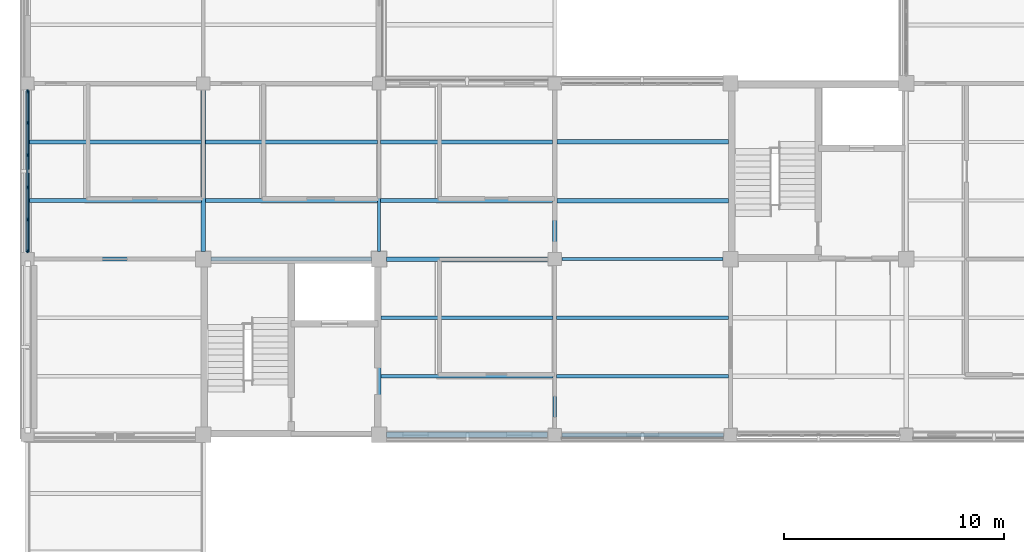
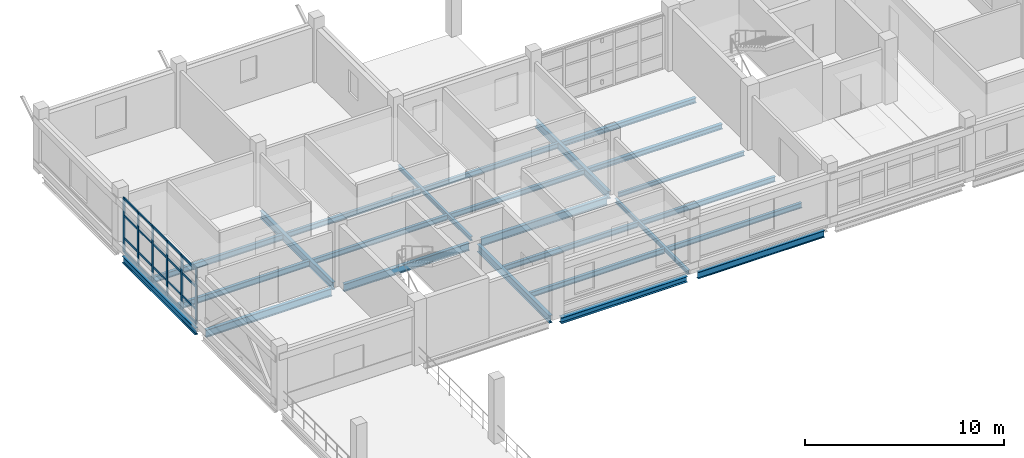
# One storey, part 4 of 35: 26 members, 24 beams, 1 element without a shape of its own.
"""IFC4 building model written with IfcOpenShell, lengths in metres."""

from ifc_helpers import new_model, si_unit, derived_unit, direction, frame, origin, origin_2d, place, context, subcontext, project, spatial, rectangle, i_section, extrude, material, layer, layer_set, material_profile, profile_set, type_object, element, aggregate, save


model = new_model("IFC4")

# Units and contexts
model_context = context("Model", 3, precision=1e-05, world=origin(), true_north=direction((0.0, 1.0)))
body_context = subcontext(model_context, "Body", "Model", "MODEL_VIEW")
ifc_project = project(units=[si_unit("LENGTHUNIT", "METRE"), si_unit("AREAUNIT", "SQUARE_METRE"), si_unit("VOLUMEUNIT", "CUBIC_METRE"), si_unit("PLANEANGLEUNIT", "RADIAN"), si_unit("MASSUNIT", "GRAM", prefix="KILO"), derived_unit("THERMALTRANSMITTANCEUNIT", [(si_unit("MASSUNIT", "GRAM", prefix="KILO"), 1), (si_unit("TIMEUNIT", "SECOND"), -3), (si_unit("THERMODYNAMICTEMPERATUREUNIT", "KELVIN"), -1)])], contexts=[model_context])

# Site, building, storey
site_placement = place(None, origin())
site = spatial("IfcSite", under=ifc_project, at=site_placement, CompositionType="ELEMENT")
building_placement = place(site_placement, origin())
building = spatial("IfcBuilding", under=site, at=building_placement, Name="Veyamyaing Civic Hall", CompositionType="ELEMENT")
storey_placement = place(building_placement, frame((0.0, 0.0, 21.780029296875)))
storey = spatial("IfcBuildingStorey", under=building, at=storey_placement, Name="L05", CompositionType="ELEMENT", Elevation=21.780029296875)

# Beams
ifc_material_1 = material(Name="Steel ASTM A992", Category="steel")
ifc_material_profile_1 = material_profile(ifc_material_1, i_section(OverallWidth=0.19189453125, OverallDepth=0.462890625, WebThickness=0.010498046875, FlangeThickness=0.017578125, FilletRadius=0.010009765625, at=origin_2d()), Name="W460X89")
ifc_profile_set_1 = profile_set([ifc_material_profile_1], Name="Steel ASTM A992")
beam_type_1 = type_object("IfcBeamType", Name="B-08", PredefinedType="BEAM", material=ifc_profile_set_1)
beam_1_placement = place(storey_placement, frame((0.324951171875, 96.0, -0.45654296875), z_axis=(1.0, 0.0, 0.0), x_axis=(0.0, 1.0, 0.0)))
element("IfcBeam", 1, at=beam_1_placement, inside=storey, type_object=beam_type_1, Name="Girder B-08 L05 Grid N 1-2", PredefinedType="BEAM", context=body_context, shape_type="SweptSolid", body=[
    extrude(i_section(OverallWidth=0.19189453125, OverallDepth=0.462890625, WebThickness=0.010498046875, FlangeThickness=0.017578125, FilletRadius=0.010009765625, at=origin_2d()), origin(), (0.0, 0.0, 1.0), 7.324951171875),
])
beam_2_placement = place(storey_placement, frame((24.0, 96.324951171875, -0.45654296875), z_axis=(0.0, 1.0, 0.0), x_axis=(-1.0, 0.0, 0.0)))
element("IfcBeam", 2, at=beam_2_placement, inside=storey, type_object=beam_type_1, Name="Girder B-08 L05 Grid 4 N-P", PredefinedType="BEAM", context=body_context, shape_type="SweptSolid", body=[
    extrude(i_section(OverallWidth=0.19189453125, OverallDepth=0.462890625, WebThickness=0.010498046875, FlangeThickness=0.017578125, FilletRadius=0.010009765625, at=origin_2d()), origin(), (0.0, 0.0, 1.0), 7.35009765625),
])
ifc_material_profile_2 = material_profile(ifc_material_1, i_section(OverallWidth=0.18994140625, OverallDepth=0.45703125, WebThickness=0.009033203125, FlangeThickness=0.014404296875, FilletRadius=0.010009765625, at=origin_2d()), Name="W460X74")
ifc_profile_set_2 = profile_set([ifc_material_profile_2], Name="Steel ASTM A992")
beam_type_2 = type_object("IfcBeamType", Name="B-09", PredefinedType="BEAM", material=ifc_profile_set_2)
beam_3_placement = place(storey_placement, frame((8.35009765625, 96.0, -0.45361328125), z_axis=(1.0, 0.0, 0.0), x_axis=(0.0, 1.0, 0.0)))
element("IfcBeam", 3, at=beam_3_placement, inside=storey, type_object=beam_type_2, Name="Girder B-09 L05 Grid N 2-3", PredefinedType="BEAM", context=body_context, shape_type="SweptSolid", body=[
    extrude(i_section(OverallWidth=0.18994140625, OverallDepth=0.45703125, WebThickness=0.009033203125, FlangeThickness=0.014404296875, FilletRadius=0.010009765625, at=origin_2d()), origin(), (0.0, 0.0, 1.0), 7.2998046875),
])
beam_4_placement = place(storey_placement, frame((8.0, 96.35009765625, -0.45361328125), z_axis=(0.0, 1.0, 0.0), x_axis=(-1.0, 0.0, 0.0)))
element("IfcBeam", 4, at=beam_4_placement, inside=storey, type_object=beam_type_2, Name="Girder B-09 L05 Grid 2 N-P", PredefinedType="BEAM", context=body_context, shape_type="SweptSolid", body=[
    extrude(i_section(OverallWidth=0.18994140625, OverallDepth=0.45703125, WebThickness=0.009033203125, FlangeThickness=0.014404296875, FilletRadius=0.010009765625, at=origin_2d()), origin(), (0.0, 0.0, 1.0), 7.324951171875),
])
beam_5_placement = place(storey_placement, frame((16.0, 88.35009765625, -0.45361328125), z_axis=(0.0, 1.0, 0.0), x_axis=(-1.0, 0.0, 0.0)))
element("IfcBeam", 5, at=beam_5_placement, inside=storey, type_object=beam_type_2, Name="Girder B-09 L05 Grid 3 M-N", PredefinedType="BEAM", context=body_context, shape_type="SweptSolid", body=[
    extrude(i_section(OverallWidth=0.18994140625, OverallDepth=0.45703125, WebThickness=0.009033203125, FlangeThickness=0.014404296875, FilletRadius=0.010009765625, at=origin_2d()), origin(), (0.0, 0.0, 1.0), 7.2998046875),
])
ifc_material_profile_3 = material_profile(ifc_material_1, i_section(OverallWidth=0.179931640625, OverallDepth=0.4130859375, WebThickness=0.009765625, FlangeThickness=0.01611328125, FilletRadius=0.010009765625, at=origin_2d()), Name="W410X74")
ifc_profile_set_3 = profile_set([ifc_material_profile_3], Name="Steel ASTM A992")
beam_type_3 = type_object("IfcBeamType", Name="B-10", PredefinedType="SPANDREL", material=ifc_profile_set_3)
beam_6_placement = place(storey_placement, frame((24.324951171875, 88.0, -0.431640625), z_axis=(1.0, 0.0, 0.0), x_axis=(0.0, 1.0, 0.0)))
element("IfcBeam", 6, at=beam_6_placement, inside=storey, type_object=beam_type_3, Name="Girder B-10 L05 Grid M 4-5", PredefinedType="SPANDREL", context=body_context, shape_type="SweptSolid", body=[
    extrude(i_section(OverallWidth=0.179931640625, OverallDepth=0.4130859375, WebThickness=0.009765625, FlangeThickness=0.01611328125, FilletRadius=0.010009765625, at=origin_2d()), origin(), (0.0, 0.0, 1.0), 7.35009765625),
])
ifc_material_profile_4 = material_profile(ifc_material_1, i_section(OverallWidth=0.14599609375, OverallDepth=0.258056640625, WebThickness=0.006103515625, FlangeThickness=0.009033203125, FilletRadius=0.010009765625, at=origin_2d()), Name="W250X33")
ifc_profile_set_4 = profile_set([ifc_material_profile_4], Name="Steel ASTM A992")
beam_type_4 = type_object("IfcBeamType", Name="B-12", PredefinedType="BEAM", material=ifc_profile_set_4)
for number, where, z_axis, x_axis, name in (
    (7, (24.324951171875, 96.0, -0.35400390625), (1.0, 0.0, 0.0), (0.0, 1.0, 0.0), "Girder B-12 L05 Grid N 4-5"),
    (8, (16.0, 96.35009765625, -0.35400390625), (0.0, 1.0, 0.0), (-1.0, 0.0, 0.0), "Girder B-12 L05 Grid 3 N-P"),
):
    element("IfcBeam", number, at=place(storey_placement, frame(where, z_axis=z_axis, x_axis=x_axis)), inside=storey, type_object=beam_type_4, Name=name, PredefinedType="BEAM", context=body_context, shape_type="SweptSolid", body=[
        extrude(i_section(OverallWidth=0.14599609375, OverallDepth=0.258056640625, WebThickness=0.006103515625, FlangeThickness=0.009033203125, FilletRadius=0.010009765625, at=origin_2d()), origin(), (0.0, 0.0, 1.0), 7.324951171875),
    ])
beam_7_placement = place(storey_placement, frame((24.0, 88.324951171875, -0.35400390625), z_axis=(0.0, 1.0, 0.0), x_axis=(-1.0, 0.0, 0.0)))
element("IfcBeam", 9, at=beam_7_placement, inside=storey, type_object=beam_type_4, Name="Girder B-12 L05 Grid 4 M-N", PredefinedType="BEAM", context=body_context, shape_type="SweptSolid", body=[
    extrude(i_section(OverallWidth=0.14599609375, OverallDepth=0.258056640625, WebThickness=0.006103515625, FlangeThickness=0.009033203125, FilletRadius=0.010009765625, at=origin_2d()), origin(), (0.0, 0.0, 1.0), 7.35009765625),
])
ifc_material_profile_5 = material_profile(ifc_material_1, i_section(OverallWidth=0.194091796875, OverallDepth=0.468994140625, WebThickness=0.0126953125, FlangeThickness=0.0205078125, FilletRadius=0.010009765625, at=origin_2d()), Name="W460X106")
ifc_profile_set_5 = profile_set([ifc_material_profile_5], Name="Steel ASTM A992")
beam_type_5 = type_object("IfcBeamType", Name="B-18", PredefinedType="BEAM", material=ifc_profile_set_5)
beam_8_placement = place(storey_placement, frame((16.35009765625, 96.0, -0.45947265625), z_axis=(1.0, 0.0, 0.0), x_axis=(0.0, 1.0, 0.0)))
element("IfcBeam", 10, at=beam_8_placement, inside=storey, type_object=beam_type_5, Name="Girder B-18 L05 Grid N 3-4", PredefinedType="BEAM", context=body_context, shape_type="SweptSolid", body=[
    extrude(i_section(OverallWidth=0.194091796875, OverallDepth=0.468994140625, WebThickness=0.0126953125, FlangeThickness=0.0205078125, FilletRadius=0.010009765625, at=origin_2d()), origin(), (0.0, 0.0, 1.0), 7.324951171875),
])
ifc_material_profile_6 = material_profile(ifc_material_1, i_section(OverallWidth=0.180908203125, OverallDepth=0.4169921875, WebThickness=0.010986328125, FlangeThickness=0.018310546875, FilletRadius=0.010009765625, at=origin_2d()), Name="W410X85")
ifc_profile_set_6 = profile_set([ifc_material_profile_6], Name="Steel ASTM A992")
beam_type_6 = type_object("IfcBeamType", Name="B-19", PredefinedType="SPANDREL", material=ifc_profile_set_6)
beam_9_placement = place(storey_placement, frame((0.0, 96.324951171875, -0.43359375), z_axis=(0.0, 1.0, 0.0), x_axis=(-1.0, 0.0, 0.0)))
element("IfcBeam", 11, at=beam_9_placement, inside=storey, type_object=beam_type_6, Name="Girder B-19 L05 Grid 1 N-P", PredefinedType="SPANDREL", context=body_context, shape_type="SweptSolid", body=[
    extrude(i_section(OverallWidth=0.180908203125, OverallDepth=0.4169921875, WebThickness=0.010986328125, FlangeThickness=0.018310546875, FilletRadius=0.010009765625, at=origin_2d()), origin(), (0.0, 0.0, 1.0), 7.35009765625),
])
ifc_material_profile_7 = material_profile(ifc_material_1, i_section(OverallWidth=0.25390625, OverallDepth=0.35302734375, WebThickness=0.009521484375, FlangeThickness=0.016357421875, FilletRadius=0.011962890625, at=origin_2d()), Name="W360X91")
ifc_profile_set_7 = profile_set([ifc_material_profile_7], Name="Steel ASTM A992")
beam_type_7 = type_object("IfcBeamType", Name="B-20", PredefinedType="SPANDREL", material=ifc_profile_set_7)
beam_10_placement = place(storey_placement, frame((16.35009765625, 88.0, -0.401611328125), z_axis=(1.0, 0.0, 0.0), x_axis=(0.0, 1.0, 0.0)))
element("IfcBeam", 12, at=beam_10_placement, inside=storey, type_object=beam_type_7, Name="Girder B-20 L05 Grid M 3-4", PredefinedType="SPANDREL", context=body_context, shape_type="SweptSolid", body=[
    extrude(i_section(OverallWidth=0.25390625, OverallDepth=0.35302734375, WebThickness=0.009521484375, FlangeThickness=0.016357421875, FilletRadius=0.011962890625, at=origin_2d()), origin(), (0.0, 0.0, 1.0), 7.324951171875),
])

# Curtain wall, members
ifc_material_2 = material(Name="Anodised aluminium 6063-T6", Category="aluminium")
ifc_layer = layer(ifc_material_2, 0.159912109375, Name="Anodised aluminium 6063-T6")
ifc_layer_set = layer_set([ifc_layer], Name="Anodised aluminium 6063-T6")
curtain_wall_type = type_object("IfcCurtainWallType", Name="CW-09", PredefinedType="NOTDEFINED", material=ifc_layer_set)
curtain_wall_placement = place(storey_placement, origin())
curtain_wall = element("IfcCurtainWall", 13, at=curtain_wall_placement, inside=storey, type_object=curtain_wall_type, Name="Unitized curtain wall CW-09 L05 W 1.13", PredefinedType="NOTDEFINED")
ifc_material_profile_8 = material_profile(ifc_material_2, rectangle(XDim=0.06494140625, YDim=0.159912109375, at=origin_2d()), Name="ALU-MUL-65X160")
ifc_profile_set_8 = profile_set([ifc_material_profile_8], Name="Anodised aluminium 6063-T6")
member_type_1 = type_object("IfcMemberType", Name="CWM-01", PredefinedType="MULLION", material=ifc_profile_set_8)
member_1_placement = place(storey_placement, frame((0.0, 96.362548828125, 0.0), z_axis=(0.0, 0.0, 1.0), x_axis=(-1.0, 0.0, 0.0)))
member_1 = element("IfcMember", 14, at=member_1_placement, type_object=member_type_1, Name="CW-09 mullion 1", PredefinedType="MULLION", context=body_context, shape_type="SweptSolid", body=[
    extrude(rectangle(XDim=0.06494140625, YDim=0.159912109375, at=origin_2d()), origin(), (0.0, 0.0, 1.0), 3.368896484375),
])
member_2_placement = place(storey_placement, frame((0.0, 97.798095703125, 0.0), z_axis=(0.0, 0.0, 1.0), x_axis=(-1.0, 0.0, 0.0)))
member_2 = element("IfcMember", 15, at=member_2_placement, type_object=member_type_1, Name="CW-09 mullion 2", PredefinedType="MULLION", context=body_context, shape_type="SweptSolid", body=[
    extrude(rectangle(XDim=0.06494140625, YDim=0.159912109375, at=origin_2d()), origin(), (0.0, 0.0, 1.0), 3.368896484375),
])
member_3_placement = place(storey_placement, frame((0.0, 99.26611328125, 0.0), z_axis=(0.0, 0.0, 1.0), x_axis=(-1.0, 0.0, 0.0)))
member_3 = element("IfcMember", 16, at=member_3_placement, type_object=member_type_1, Name="CW-09 mullion 3", PredefinedType="MULLION", context=body_context, shape_type="SweptSolid", body=[
    extrude(rectangle(XDim=0.06494140625, YDim=0.159912109375, at=origin_2d()), origin(), (0.0, 0.0, 1.0), 3.368896484375),
])
member_4_placement = place(storey_placement, frame((0.0, 100.73388671875, 0.0), z_axis=(0.0, 0.0, 1.0), x_axis=(-1.0, 0.0, 0.0)))
member_4 = element("IfcMember", 17, at=member_4_placement, type_object=member_type_1, Name="CW-09 mullion 4", PredefinedType="MULLION", context=body_context, shape_type="SweptSolid", body=[
    extrude(rectangle(XDim=0.06494140625, YDim=0.159912109375, at=origin_2d()), origin(), (0.0, 0.0, 1.0), 3.368896484375),
])
member_5_placement = place(storey_placement, frame((0.0, 102.201904296875, 0.0), z_axis=(0.0, 0.0, 1.0), x_axis=(-1.0, 0.0, 0.0)))
member_5 = element("IfcMember", 18, at=member_5_placement, type_object=member_type_1, Name="CW-09 mullion 5", PredefinedType="MULLION", context=body_context, shape_type="SweptSolid", body=[
    extrude(rectangle(XDim=0.06494140625, YDim=0.159912109375, at=origin_2d()), origin(), (0.0, 0.0, 1.0), 3.368896484375),
])
member_6_placement = place(storey_placement, frame((0.0, 103.637451171875, 0.0), z_axis=(0.0, 0.0, 1.0), x_axis=(-1.0, 0.0, 0.0)))
member_6 = element("IfcMember", 19, at=member_6_placement, type_object=member_type_1, Name="CW-09 mullion 6", PredefinedType="MULLION", context=body_context, shape_type="SweptSolid", body=[
    extrude(rectangle(XDim=0.06494140625, YDim=0.159912109375, at=origin_2d()), origin(), (0.0, 0.0, 1.0), 3.368896484375),
])
ifc_material_profile_9 = material_profile(ifc_material_2, rectangle(XDim=0.06494140625, YDim=0.1201171875, at=origin_2d()), Name="ALU-TRN-65X120")
ifc_profile_set_9 = profile_set([ifc_material_profile_9], Name="Anodised aluminium 6063-T6")
member_type_2 = type_object("IfcMemberType", Name="CWT-01", PredefinedType="USERDEFINED", material=ifc_profile_set_9)
member_7_placement = place(storey_placement, frame((0.0, 96.39501953125, 0.032470703125), z_axis=(0.0, 1.0, 0.0), x_axis=(-1.0, 0.0, 0.0)))
member_7 = element("IfcMember", 20, at=member_7_placement, type_object=member_type_2, Name="CW-09 transom 1.1", ObjectType="TRANSOM", PredefinedType="USERDEFINED", context=body_context, shape_type="SweptSolid", body=[
    extrude(rectangle(XDim=0.06494140625, YDim=0.1201171875, at=origin_2d()), origin(), (0.0, 0.0, 1.0), 1.370361328125),
])
member_8_placement = place(storey_placement, frame((0.0, 96.39501953125, 0.89990234375), z_axis=(0.0, 1.0, 0.0), x_axis=(-1.0, 0.0, 0.0)))
member_8 = element("IfcMember", 21, at=member_8_placement, type_object=member_type_2, Name="CW-09 transom 1.2", ObjectType="TRANSOM", PredefinedType="USERDEFINED", context=body_context, shape_type="SweptSolid", body=[
    extrude(rectangle(XDim=0.06494140625, YDim=0.1201171875, at=origin_2d()), origin(), (0.0, 0.0, 1.0), 1.370361328125),
])
member_9_placement = place(storey_placement, frame((0.0, 96.39501953125, 2.290771484375), z_axis=(0.0, 1.0, 0.0), x_axis=(-1.0, 0.0, 0.0)))
member_9 = element("IfcMember", 22, at=member_9_placement, type_object=member_type_2, Name="CW-09 transom 1.3", ObjectType="TRANSOM", PredefinedType="USERDEFINED", context=body_context, shape_type="SweptSolid", body=[
    extrude(rectangle(XDim=0.06494140625, YDim=0.1201171875, at=origin_2d()), origin(), (0.0, 0.0, 1.0), 1.370361328125),
])
member_10_placement = place(storey_placement, frame((0.0, 96.39501953125, 3.33642578125), z_axis=(0.0, 1.0, 0.0), x_axis=(-1.0, 0.0, 0.0)))
member_10 = element("IfcMember", 23, at=member_10_placement, type_object=member_type_2, Name="CW-09 transom 1.4", ObjectType="TRANSOM", PredefinedType="USERDEFINED", context=body_context, shape_type="SweptSolid", body=[
    extrude(rectangle(XDim=0.06494140625, YDim=0.1201171875, at=origin_2d()), origin(), (0.0, 0.0, 1.0), 1.370361328125),
])
member_11_placement = place(storey_placement, frame((0.0, 97.83056640625, 0.032470703125), z_axis=(0.0, 1.0, 0.0), x_axis=(-1.0, 0.0, 0.0)))
member_11 = element("IfcMember", 24, at=member_11_placement, type_object=member_type_2, Name="CW-09 transom 2.1", ObjectType="TRANSOM", PredefinedType="USERDEFINED", context=body_context, shape_type="SweptSolid", body=[
    extrude(rectangle(XDim=0.06494140625, YDim=0.1201171875, at=origin_2d()), origin(), (0.0, 0.0, 1.0), 1.40283203125),
])
member_12_placement = place(storey_placement, frame((0.0, 97.83056640625, 0.89990234375), z_axis=(0.0, 1.0, 0.0), x_axis=(-1.0, 0.0, 0.0)))
member_12 = element("IfcMember", 25, at=member_12_placement, type_object=member_type_2, Name="CW-09 transom 2.2", ObjectType="TRANSOM", PredefinedType="USERDEFINED", context=body_context, shape_type="SweptSolid", body=[
    extrude(rectangle(XDim=0.06494140625, YDim=0.1201171875, at=origin_2d()), origin(), (0.0, 0.0, 1.0), 1.40283203125),
])
member_13_placement = place(storey_placement, frame((0.0, 97.83056640625, 2.290771484375), z_axis=(0.0, 1.0, 0.0), x_axis=(-1.0, 0.0, 0.0)))
member_13 = element("IfcMember", 26, at=member_13_placement, type_object=member_type_2, Name="CW-09 transom 2.3", ObjectType="TRANSOM", PredefinedType="USERDEFINED", context=body_context, shape_type="SweptSolid", body=[
    extrude(rectangle(XDim=0.06494140625, YDim=0.1201171875, at=origin_2d()), origin(), (0.0, 0.0, 1.0), 1.40283203125),
])
member_14_placement = place(storey_placement, frame((0.0, 97.83056640625, 3.33642578125), z_axis=(0.0, 1.0, 0.0), x_axis=(-1.0, 0.0, 0.0)))
member_14 = element("IfcMember", 27, at=member_14_placement, type_object=member_type_2, Name="CW-09 transom 2.4", ObjectType="TRANSOM", PredefinedType="USERDEFINED", context=body_context, shape_type="SweptSolid", body=[
    extrude(rectangle(XDim=0.06494140625, YDim=0.1201171875, at=origin_2d()), origin(), (0.0, 0.0, 1.0), 1.40283203125),
])
member_15_placement = place(storey_placement, frame((0.0, 99.298583984375, 0.032470703125), z_axis=(0.0, 1.0, 0.0), x_axis=(-1.0, 0.0, 0.0)))
member_15 = element("IfcMember", 28, at=member_15_placement, type_object=member_type_2, Name="CW-09 transom 3.1", ObjectType="TRANSOM", PredefinedType="USERDEFINED", context=body_context, shape_type="SweptSolid", body=[
    extrude(rectangle(XDim=0.06494140625, YDim=0.1201171875, at=origin_2d()), origin(), (0.0, 0.0, 1.0), 1.40283203125),
])
member_16_placement = place(storey_placement, frame((0.0, 99.298583984375, 0.89990234375), z_axis=(0.0, 1.0, 0.0), x_axis=(-1.0, 0.0, 0.0)))
member_16 = element("IfcMember", 29, at=member_16_placement, type_object=member_type_2, Name="CW-09 transom 3.2", ObjectType="TRANSOM", PredefinedType="USERDEFINED", context=body_context, shape_type="SweptSolid", body=[
    extrude(rectangle(XDim=0.06494140625, YDim=0.1201171875, at=origin_2d()), origin(), (0.0, 0.0, 1.0), 1.40283203125),
])
member_17_placement = place(storey_placement, frame((0.0, 99.298583984375, 2.290771484375), z_axis=(0.0, 1.0, 0.0), x_axis=(-1.0, 0.0, 0.0)))
member_17 = element("IfcMember", 30, at=member_17_placement, type_object=member_type_2, Name="CW-09 transom 3.3", ObjectType="TRANSOM", PredefinedType="USERDEFINED", context=body_context, shape_type="SweptSolid", body=[
    extrude(rectangle(XDim=0.06494140625, YDim=0.1201171875, at=origin_2d()), origin(), (0.0, 0.0, 1.0), 1.40283203125),
])
member_18_placement = place(storey_placement, frame((0.0, 99.298583984375, 3.33642578125), z_axis=(0.0, 1.0, 0.0), x_axis=(-1.0, 0.0, 0.0)))
member_18 = element("IfcMember", 31, at=member_18_placement, type_object=member_type_2, Name="CW-09 transom 3.4", ObjectType="TRANSOM", PredefinedType="USERDEFINED", context=body_context, shape_type="SweptSolid", body=[
    extrude(rectangle(XDim=0.06494140625, YDim=0.1201171875, at=origin_2d()), origin(), (0.0, 0.0, 1.0), 1.40283203125),
])
member_19_placement = place(storey_placement, frame((0.0, 100.7666015625, 0.032470703125), z_axis=(0.0, 1.0, 0.0), x_axis=(-1.0, 0.0, 0.0)))
member_19 = element("IfcMember", 32, at=member_19_placement, type_object=member_type_2, Name="CW-09 transom 4.1", ObjectType="TRANSOM", PredefinedType="USERDEFINED", context=body_context, shape_type="SweptSolid", body=[
    extrude(rectangle(XDim=0.06494140625, YDim=0.1201171875, at=origin_2d()), origin(), (0.0, 0.0, 1.0), 1.40283203125),
])
member_20_placement = place(storey_placement, frame((0.0, 100.7666015625, 0.89990234375), z_axis=(0.0, 1.0, 0.0), x_axis=(-1.0, 0.0, 0.0)))
member_20 = element("IfcMember", 33, at=member_20_placement, type_object=member_type_2, Name="CW-09 transom 4.2", ObjectType="TRANSOM", PredefinedType="USERDEFINED", context=body_context, shape_type="SweptSolid", body=[
    extrude(rectangle(XDim=0.06494140625, YDim=0.1201171875, at=origin_2d()), origin(), (0.0, 0.0, 1.0), 1.40283203125),
])
member_21_placement = place(storey_placement, frame((0.0, 100.7666015625, 2.290771484375), z_axis=(0.0, 1.0, 0.0), x_axis=(-1.0, 0.0, 0.0)))
member_21 = element("IfcMember", 34, at=member_21_placement, type_object=member_type_2, Name="CW-09 transom 4.3", ObjectType="TRANSOM", PredefinedType="USERDEFINED", context=body_context, shape_type="SweptSolid", body=[
    extrude(rectangle(XDim=0.06494140625, YDim=0.1201171875, at=origin_2d()), origin(), (0.0, 0.0, 1.0), 1.40283203125),
])
member_22_placement = place(storey_placement, frame((0.0, 100.7666015625, 3.33642578125), z_axis=(0.0, 1.0, 0.0), x_axis=(-1.0, 0.0, 0.0)))
member_22 = element("IfcMember", 35, at=member_22_placement, type_object=member_type_2, Name="CW-09 transom 4.4", ObjectType="TRANSOM", PredefinedType="USERDEFINED", context=body_context, shape_type="SweptSolid", body=[
    extrude(rectangle(XDim=0.06494140625, YDim=0.1201171875, at=origin_2d()), origin(), (0.0, 0.0, 1.0), 1.40283203125),
])
member_23_placement = place(storey_placement, frame((0.0, 102.234619140625, 0.032470703125), z_axis=(0.0, 1.0, 0.0), x_axis=(-1.0, 0.0, 0.0)))
member_23 = element("IfcMember", 36, at=member_23_placement, type_object=member_type_2, Name="CW-09 transom 5.1", ObjectType="TRANSOM", PredefinedType="USERDEFINED", context=body_context, shape_type="SweptSolid", body=[
    extrude(rectangle(XDim=0.06494140625, YDim=0.1201171875, at=origin_2d()), origin(), (0.0, 0.0, 1.0), 1.370361328125),
])
member_24_placement = place(storey_placement, frame((0.0, 102.234619140625, 0.89990234375), z_axis=(0.0, 1.0, 0.0), x_axis=(-1.0, 0.0, 0.0)))
member_24 = element("IfcMember", 37, at=member_24_placement, type_object=member_type_2, Name="CW-09 transom 5.2", ObjectType="TRANSOM", PredefinedType="USERDEFINED", context=body_context, shape_type="SweptSolid", body=[
    extrude(rectangle(XDim=0.06494140625, YDim=0.1201171875, at=origin_2d()), origin(), (0.0, 0.0, 1.0), 1.370361328125),
])
member_25_placement = place(storey_placement, frame((0.0, 102.234619140625, 2.290771484375), z_axis=(0.0, 1.0, 0.0), x_axis=(-1.0, 0.0, 0.0)))
member_25 = element("IfcMember", 38, at=member_25_placement, type_object=member_type_2, Name="CW-09 transom 5.3", ObjectType="TRANSOM", PredefinedType="USERDEFINED", context=body_context, shape_type="SweptSolid", body=[
    extrude(rectangle(XDim=0.06494140625, YDim=0.1201171875, at=origin_2d()), origin(), (0.0, 0.0, 1.0), 1.370361328125),
])
member_26_placement = place(storey_placement, frame((0.0, 102.234619140625, 3.33642578125), z_axis=(0.0, 1.0, 0.0), x_axis=(-1.0, 0.0, 0.0)))
member_26 = element("IfcMember", 39, at=member_26_placement, type_object=member_type_2, Name="CW-09 transom 5.4", ObjectType="TRANSOM", PredefinedType="USERDEFINED", context=body_context, shape_type="SweptSolid", body=[
    extrude(rectangle(XDim=0.06494140625, YDim=0.1201171875, at=origin_2d()), origin(), (0.0, 0.0, 1.0), 1.370361328125),
])
aggregate(curtain_wall, [member_1, member_2, member_3, member_4, member_5, member_6, member_7, member_8, member_9, member_10, member_11, member_12, member_13, member_14, member_15, member_16, member_17, member_18, member_19, member_20, member_21, member_22, member_23, member_24, member_25, member_26])

# Beams
ifc_material_profile_10 = material_profile(ifc_material_1, i_section(OverallWidth=0.1708984375, OverallDepth=0.35205078125, WebThickness=0.0068359375, FlangeThickness=0.009765625, FilletRadius=0.010009765625, at=origin_2d()), Name="W360X44")
ifc_profile_set_10 = profile_set([ifc_material_profile_10], Name="Steel ASTM A992")
beam_type_8 = type_object("IfcBeamType", Name="J-03", PredefinedType="JOIST", material=ifc_profile_set_10)
for number, where, z_axis, x_axis, name in (
    (40, (0.08837890625, 98.666748046875, -0.401123046875), (1.0, 0.0, 0.0), (0.0, 1.0, 0.0), "Composite floor joist J-03 L05 1.13.1"),
    (41, (0.08837890625, 101.333251953125, -0.401123046875), (1.0, 0.0, 0.0), (0.0, 1.0, 0.0), "Composite floor joist J-03 L05 1.13.2"),
):
    element("IfcBeam", number, at=place(storey_placement, frame(where, z_axis=z_axis, x_axis=x_axis)), inside=storey, type_object=beam_type_8, Name=name, PredefinedType="JOIST", context=body_context, shape_type="SweptSolid", body=[
        extrude(i_section(OverallWidth=0.1708984375, OverallDepth=0.35205078125, WebThickness=0.0068359375, FlangeThickness=0.009765625, FilletRadius=0.010009765625, at=origin_2d()), origin(), (0.0, 0.0, 1.0), 7.818603515625),
    ])
ifc_material_profile_11 = material_profile(ifc_material_1, i_section(OverallWidth=0.1669921875, OverallDepth=0.318115234375, WebThickness=0.007568359375, FlangeThickness=0.01318359375, FilletRadius=0.010009765625, at=origin_2d()), Name="W310X52")
ifc_profile_set_11 = profile_set([ifc_material_profile_11], Name="Steel ASTM A992")
beam_type_9 = type_object("IfcBeamType", Name="J-04", PredefinedType="JOIST", material=ifc_profile_set_11)
for number, where, z_axis, x_axis, name in (
    (42, (8.093017578125, 98.666748046875, -0.384033203125), (1.0, 0.0, 0.0), (0.0, 1.0, 0.0), "Composite floor joist J-04 L05 2.13.1"),
    (43, (8.093017578125, 101.333251953125, -0.384033203125), (1.0, 0.0, 0.0), (0.0, 1.0, 0.0), "Composite floor joist J-04 L05 2.13.2"),
    (44, (16.093017578125, 90.666748046875, -0.384033203125), (1.0, 0.0, 0.0), (0.0, 1.0, 0.0), "Composite floor joist J-04 L05 3.12.1"),
    (45, (16.093017578125, 93.333251953125, -0.384033203125), (1.0, 0.0, 0.0), (0.0, 1.0, 0.0), "Composite floor joist J-04 L05 3.12.2"),
):
    element("IfcBeam", number, at=place(storey_placement, frame(where, z_axis=z_axis, x_axis=x_axis)), inside=storey, type_object=beam_type_9, Name=name, PredefinedType="JOIST", context=body_context, shape_type="SweptSolid", body=[
        extrude(i_section(OverallWidth=0.1669921875, OverallDepth=0.318115234375, WebThickness=0.007568359375, FlangeThickness=0.01318359375, FilletRadius=0.010009765625, at=origin_2d()), origin(), (0.0, 0.0, 1.0), 7.8359375),
    ])
ifc_material_profile_12 = material_profile(ifc_material_1, i_section(OverallWidth=0.1650390625, OverallDepth=0.31005859375, WebThickness=0.005859375, FlangeThickness=0.009765625, FilletRadius=0.010009765625, at=origin_2d()), Name="W310X39")
ifc_profile_set_12 = profile_set([ifc_material_profile_12], Name="Steel ASTM A992")
beam_type_10 = type_object("IfcBeamType", Name="J-05", PredefinedType="JOIST", material=ifc_profile_set_12)
for number, where, z_axis, x_axis, name in (
    (46, (16.071044921875, 98.666748046875, -0.380126953125), (1.0, 0.0, 0.0), (0.0, 1.0, 0.0), "Composite floor joist J-05 L05 3.13.1"),
    (47, (16.071044921875, 101.333251953125, -0.380126953125), (1.0, 0.0, 0.0), (0.0, 1.0, 0.0), "Composite floor joist J-05 L05 3.13.2"),
    (48, (24.071044921875, 90.666748046875, -0.380126953125), (1.0, 0.0, 0.0), (0.0, 1.0, 0.0), "Composite floor joist J-05 L05 4.12.1"),
    (49, (24.071044921875, 93.333251953125, -0.380126953125), (1.0, 0.0, 0.0), (0.0, 1.0, 0.0), "Composite floor joist J-05 L05 4.12.2"),
):
    element("IfcBeam", number, at=place(storey_placement, frame(where, z_axis=z_axis, x_axis=x_axis)), inside=storey, type_object=beam_type_10, Name=name, PredefinedType="JOIST", context=body_context, shape_type="SweptSolid", body=[
        extrude(i_section(OverallWidth=0.1650390625, OverallDepth=0.31005859375, WebThickness=0.005859375, FlangeThickness=0.009765625, FilletRadius=0.010009765625, at=origin_2d()), origin(), (0.0, 0.0, 1.0), 7.8349609375),
    ])
ifc_material_profile_13 = material_profile(ifc_material_1, i_section(OverallWidth=0.2041015625, OverallDepth=0.305908203125, WebThickness=0.008544921875, FlangeThickness=0.0146484375, FilletRadius=0.010009765625, at=origin_2d()), Name="W310X67")
ifc_profile_set_13 = profile_set([ifc_material_profile_13], Name="Steel ASTM A992")
beam_type_11 = type_object("IfcBeamType", Name="J-06", PredefinedType="JOIST", material=ifc_profile_set_13)
for number, where, z_axis, x_axis, name in (
    (50, (24.093994140625, 98.666748046875, -0.3779296875), (1.0, 0.0, 0.0), (0.0, 1.0, 0.0), "Composite floor joist J-06 L05 4.13.1"),
    (51, (24.093994140625, 101.333251953125, -0.3779296875), (1.0, 0.0, 0.0), (0.0, 1.0, 0.0), "Composite floor joist J-06 L05 4.13.2"),
):
    element("IfcBeam", number, at=place(storey_placement, frame(where, z_axis=z_axis, x_axis=x_axis)), inside=storey, type_object=beam_type_11, Name=name, PredefinedType="JOIST", context=body_context, shape_type="SweptSolid", body=[
        extrude(i_section(OverallWidth=0.2041015625, OverallDepth=0.305908203125, WebThickness=0.008544921875, FlangeThickness=0.0146484375, FilletRadius=0.010009765625, at=origin_2d()), origin(), (0.0, 0.0, 1.0), 7.81298828125),
    ])

save(model, "model.ifc")
